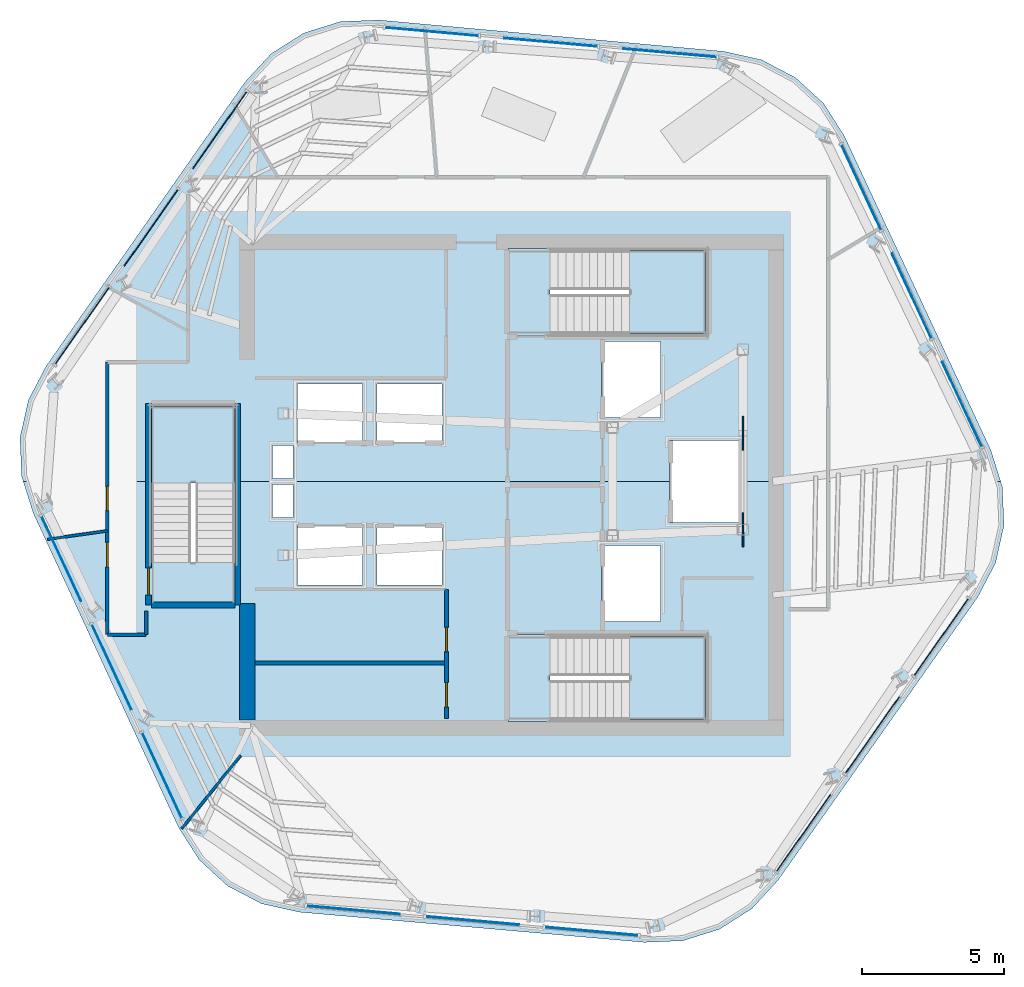
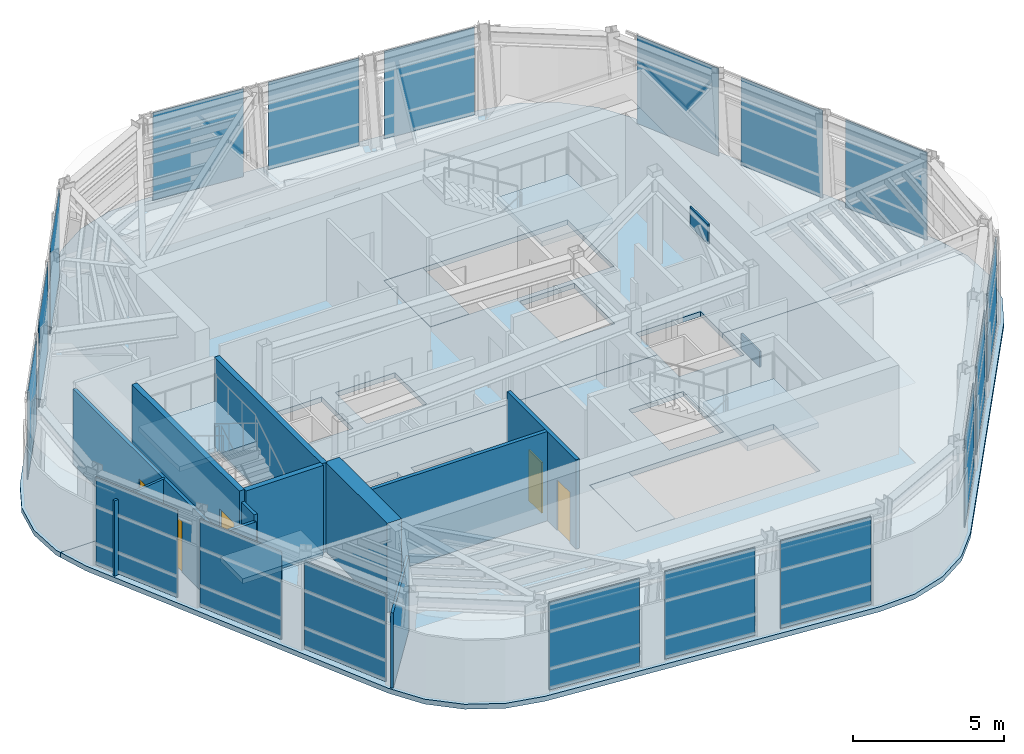
# One storey, part 5 of 12: 20 plates, 11 walls, 8 slabs, 5 doors, 5 openings, 9 elements without a shape of their own.
"""IFC4 building model written with IfcOpenShell, lengths in metres."""

from ifc_helpers import new_model, si_unit, direction, frame, frame_2d, origin, origin_2d, place, context, subcontext, project, spatial, polyline, rectangle, outline, extrude, material, layer, layer_set, type_object, element, fill, aggregate, save


model = new_model("IFC4")

# Units and contexts
model_context = context("Model", 3, precision=1e-05, world=origin(), true_north=direction((0.0, 1.0)))
body_context = subcontext(model_context, "Body", "Model", "MODEL_VIEW")
ifc_project = project(units=[si_unit("LENGTHUNIT", "METRE"), si_unit("AREAUNIT", "SQUARE_METRE"), si_unit("VOLUMEUNIT", "CUBIC_METRE"), si_unit("PLANEANGLEUNIT", "RADIAN"), si_unit("MASSUNIT", "GRAM", prefix="KILO")], contexts=[model_context])

# Site, building, storey
site_placement = place(None, origin())
site = spatial("IfcSite", under=ifc_project, at=site_placement, CompositionType="ELEMENT")
building_placement = place(site_placement, origin())
building = spatial("IfcBuilding", under=site, at=building_placement, Name="Valkerne Bourse Tower", CompositionType="ELEMENT")
storey_placement = place(building_placement, frame((0.0, 0.0, 262.199951171875)))
storey = spatial("IfcBuildingStorey", under=building, at=storey_placement, Name="L66", CompositionType="ELEMENT", Elevation=262.199951171875)

# Curtain wall, plates
ifc_material_1 = material(Name="Aluminium AA 6063-T6", Category="aluminium")
ifc_layer_1 = layer(ifc_material_1, 0.2451171875)
ifc_layer_set_1 = layer_set([ifc_layer_1], Name="Aluminium AA 6063-T6")
curtain_wall_type = type_object("IfcCurtainWallType", Name="CW-05", PredefinedType="NOTDEFINED", material=ifc_layer_set_1)
curtain_wall_1_placement = place(storey_placement, origin())
curtain_wall_1 = element("IfcCurtainWall", 1, at=curtain_wall_1_placement, inside=storey, type_object=curtain_wall_type, Name="L66 Hexagonal Stick Curtain Wall Face 1", PredefinedType="NOTDEFINED")
ifc_material_2 = material(Name="Glass IGU Low-E Double Glazed", Category="glass")
ifc_layer_2 = layer(ifc_material_2, 0.031982421875)
ifc_layer_set_2 = layer_set([ifc_layer_2], Name="Glass IGU Low-E Double Glazed")
plate_type_1 = type_object("IfcPlateType", Name="CW-PNL-IGU-32", PredefinedType="CURTAIN_PANEL", material=ifc_layer_set_2)
plate_1_placement = place(storey_placement, frame((52.376708984375, 42.102783203125, 0.030029296875), z_axis=(0.0, 0.0, 1.0), x_axis=(-0.99603958276, 0.088910908079, 0.0)))
plate_1 = element("IfcPlate", 2, at=plate_1_placement, type_object=plate_type_1, Name="CW-L66-F1 Curtain Panel 00", PredefinedType="CURTAIN_PANEL", context=body_context, shape_type="SweptSolid", body=[
    extrude(rectangle(XDim=3.2919921875, YDim=0.031982421875, at=origin_2d()), origin(), (0.0, 0.0, 1.0), 3.5400390625),
])
plate_2_placement = place(storey_placement, frame((48.181396484375, 42.477294921875, 0.030029296875), z_axis=(0.0, 0.0, 1.0), x_axis=(-0.996041497395, 0.088889456445, 0.0)))
plate_2 = element("IfcPlate", 3, at=plate_2_placement, type_object=plate_type_1, Name="CW-L66-F1 Curtain Panel 01", PredefinedType="CURTAIN_PANEL", context=body_context, shape_type="SweptSolid", body=[
    extrude(rectangle(XDim=3.2919921875, YDim=0.031982421875, at=origin_2d()), origin(), (0.0, 0.0, 1.0), 3.5400390625),
])
plate_3_placement = place(storey_placement, frame((43.986083984375, 42.8515625, 0.030029296875), z_axis=(0.0, 0.0, 1.0), x_axis=(-0.996041497395, 0.088889456445, 0.0)))
plate_3 = element("IfcPlate", 4, at=plate_3_placement, type_object=plate_type_1, Name="CW-L66-F1 Curtain Panel 02", PredefinedType="CURTAIN_PANEL", context=body_context, shape_type="SweptSolid", body=[
    extrude(rectangle(XDim=3.2919921875, YDim=0.031982421875, at=origin_2d()), origin(), (0.0, 0.0, 1.0), 3.5400390625),
])
aggregate(curtain_wall_1, [plate_1, plate_2, plate_3])

curtain_wall_2_placement = place(storey_placement, origin())
curtain_wall_2 = element("IfcCurtainWall", 5, at=curtain_wall_2_placement, inside=storey, type_object=curtain_wall_type, Name="L66 Hexagonal Stick Curtain Wall Face 2", PredefinedType="NOTDEFINED")
plate_4_placement = place(storey_placement, frame((36.5087890625, 39.380859375, 0.030029296875), z_axis=(0.0, 0.0, 1.0), x_axis=(-0.575006942381, -0.818148529433, 0.0)))
plate_4 = element("IfcPlate", 6, at=plate_4_placement, type_object=plate_type_1, Name="CW-L66-F2 Curtain Panel 00", PredefinedType="CURTAIN_PANEL", context=body_context, shape_type="SweptSolid", body=[
    extrude(rectangle(XDim=3.2919921875, YDim=0.031982421875, at=origin_2d()), origin(), (0.0, 0.0, 1.0), 3.5400390625),
])
plate_5_placement = place(storey_placement, frame((34.0869140625, 35.934814453125, 0.030029296875), z_axis=(0.0, 0.0, 1.0), x_axis=(-0.574995773335, -0.818156379091, 0.0)))
plate_5 = element("IfcPlate", 7, at=plate_5_placement, type_object=plate_type_1, Name="CW-L66-F2 Curtain Panel 01", PredefinedType="CURTAIN_PANEL", context=body_context, shape_type="SweptSolid", body=[
    extrude(rectangle(XDim=3.2919921875, YDim=0.031982421875, at=origin_2d()), origin(), (0.0, 0.0, 1.0), 3.5400390625),
])
plate_6_placement = place(storey_placement, frame((31.6650390625, 32.48876953125, 0.030029296875), z_axis=(0.0, 0.0, 1.0), x_axis=(-0.575006942381, -0.818148529433, 0.0)))
plate_6 = element("IfcPlate", 8, at=plate_6_placement, type_object=plate_type_1, Name="CW-L66-F2 Curtain Panel 02", PredefinedType="CURTAIN_PANEL", context=body_context, shape_type="SweptSolid", body=[
    extrude(rectangle(XDim=3.2919921875, YDim=0.031982421875, at=origin_2d()), origin(), (0.0, 0.0, 1.0), 3.5400390625),
])
aggregate(curtain_wall_2, [plate_4, plate_5, plate_6])

curtain_wall_3_placement = place(storey_placement, origin())
curtain_wall_3 = element("IfcCurtainWall", 9, at=curtain_wall_3_placement, inside=storey, type_object=curtain_wall_type, Name="L66 Hexagonal Stick Curtain Wall Face 3", PredefinedType="NOTDEFINED")
plate_7_placement = place(storey_placement, frame((30.932373046875, 24.278076171875, 0.030029296875), z_axis=(0.0, 0.0, 1.0), x_axis=(0.421032481957, -0.907045560673, 0.0)))
plate_7 = element("IfcPlate", 10, at=plate_7_placement, type_object=plate_type_1, Name="CW-L66-F3 Curtain Panel 00", PredefinedType="CURTAIN_PANEL", context=body_context, shape_type="SweptSolid", body=[
    extrude(rectangle(XDim=3.2919921875, YDim=0.031982421875, at=origin_2d()), origin(), (0.0, 0.0, 1.0), 3.5400390625),
])
plate_8_placement = place(storey_placement, frame((32.705810546875, 20.45751953125, 0.030029296875), z_axis=(0.0, 0.0, 1.0), x_axis=(0.421032481957, -0.907045560673, 0.0)))
plate_8 = element("IfcPlate", 11, at=plate_8_placement, type_object=plate_type_1, Name="CW-L66-F3 Curtain Panel 01", PredefinedType="CURTAIN_PANEL", context=body_context, shape_type="SweptSolid", body=[
    extrude(rectangle(XDim=3.2919921875, YDim=0.031982421875, at=origin_2d()), origin(), (0.0, 0.0, 1.0), 3.5400390625),
])
plate_9_placement = place(storey_placement, frame((34.47900390625, 16.63720703125, 0.030029296875), z_axis=(0.0, 0.0, 1.0), x_axis=(0.421041548912, -0.907041351918, 0.0)))
plate_9 = element("IfcPlate", 12, at=plate_9_placement, type_object=plate_type_1, Name="CW-L66-F3 Curtain Panel 02", PredefinedType="CURTAIN_PANEL", context=body_context, shape_type="SweptSolid", body=[
    extrude(rectangle(XDim=3.2919921875, YDim=0.031982421875, at=origin_2d()), origin(), (0.0, 0.0, 1.0), 3.5400390625),
])
aggregate(curtain_wall_3, [plate_7, plate_8, plate_9])

curtain_wall_4_placement = place(storey_placement, origin())
curtain_wall_4 = element("IfcCurtainWall", 13, at=curtain_wall_4_placement, inside=storey, type_object=curtain_wall_type, Name="L66 Hexagonal Stick Curtain Wall Face 4", PredefinedType="NOTDEFINED")
plate_10_placement = place(storey_placement, frame((41.223388671875, 11.897216796875, 0.030029296875), z_axis=(0.0, 0.0, 1.0), x_axis=(0.99603958276, -0.088910908079, 0.0)))
plate_10 = element("IfcPlate", 14, at=plate_10_placement, type_object=plate_type_1, Name="CW-L66-F4 Curtain Panel 00", PredefinedType="CURTAIN_PANEL", context=body_context, shape_type="SweptSolid", body=[
    extrude(rectangle(XDim=3.2919921875, YDim=0.031982421875, at=origin_2d()), origin(), (0.0, 0.0, 1.0), 3.5400390625),
])
plate_11_placement = place(storey_placement, frame((45.418701171875, 11.522705078125, 0.030029296875), z_axis=(0.0, 0.0, 1.0), x_axis=(0.996041497395, -0.088889456445, 0.0)))
plate_11 = element("IfcPlate", 15, at=plate_11_placement, type_object=plate_type_1, Name="CW-L66-F4 Curtain Panel 01", PredefinedType="CURTAIN_PANEL", context=body_context, shape_type="SweptSolid", body=[
    extrude(rectangle(XDim=3.2919921875, YDim=0.031982421875, at=origin_2d()), origin(), (0.0, 0.0, 1.0), 3.5400390625),
])
plate_12_placement = place(storey_placement, frame((49.614013671875, 11.1484375, 0.030029296875), z_axis=(0.0, 0.0, 1.0), x_axis=(0.996041497395, -0.088889456445, 0.0)))
plate_12 = element("IfcPlate", 16, at=plate_12_placement, type_object=plate_type_1, Name="CW-L66-F4 Curtain Panel 02", PredefinedType="CURTAIN_PANEL", context=body_context, shape_type="SweptSolid", body=[
    extrude(rectangle(XDim=3.2919921875, YDim=0.031982421875, at=origin_2d()), origin(), (0.0, 0.0, 1.0), 3.5400390625),
])
aggregate(curtain_wall_4, [plate_10, plate_11, plate_12])

curtain_wall_5_placement = place(storey_placement, origin())
curtain_wall_5 = element("IfcCurtainWall", 17, at=curtain_wall_5_placement, inside=storey, type_object=curtain_wall_type, Name="L66 Hexagonal Stick Curtain Wall Face 5", PredefinedType="NOTDEFINED")
plate_13_placement = place(storey_placement, frame((57.091064453125, 14.619140625, 0.030029296875), z_axis=(0.0, 0.0, 1.0), x_axis=(0.575006942381, 0.818148529433, 0.0)))
plate_13 = element("IfcPlate", 18, at=plate_13_placement, type_object=plate_type_1, Name="CW-L66-F5 Curtain Panel 00", PredefinedType="CURTAIN_PANEL", context=body_context, shape_type="SweptSolid", body=[
    extrude(rectangle(XDim=3.2919921875, YDim=0.031982421875, at=origin_2d()), origin(), (0.0, 0.0, 1.0), 3.5400390625),
])
plate_14_placement = place(storey_placement, frame((59.512939453125, 18.065185546875, 0.030029296875), z_axis=(0.0, 0.0, 1.0), x_axis=(0.574995773335, 0.818156379091, 0.0)))
plate_14 = element("IfcPlate", 19, at=plate_14_placement, type_object=plate_type_1, Name="CW-L66-F5 Curtain Panel 01", PredefinedType="CURTAIN_PANEL", context=body_context, shape_type="SweptSolid", body=[
    extrude(rectangle(XDim=3.2919921875, YDim=0.031982421875, at=origin_2d()), origin(), (0.0, 0.0, 1.0), 3.5400390625),
])
plate_15_placement = place(storey_placement, frame((61.93505859375, 21.51123046875, 0.030029296875), z_axis=(0.0, 0.0, 1.0), x_axis=(0.575006942381, 0.818148529433, 0.0)))
plate_15 = element("IfcPlate", 20, at=plate_15_placement, type_object=plate_type_1, Name="CW-L66-F5 Curtain Panel 02", PredefinedType="CURTAIN_PANEL", context=body_context, shape_type="SweptSolid", body=[
    extrude(rectangle(XDim=3.2919921875, YDim=0.031982421875, at=origin_2d()), origin(), (0.0, 0.0, 1.0), 3.5400390625),
])
aggregate(curtain_wall_5, [plate_13, plate_14, plate_15])

curtain_wall_6_placement = place(storey_placement, origin())
curtain_wall_6 = element("IfcCurtainWall", 21, at=curtain_wall_6_placement, inside=storey, type_object=curtain_wall_type, Name="L66 Hexagonal Stick Curtain Wall Face 6", PredefinedType="NOTDEFINED")
plate_16_placement = place(storey_placement, frame((62.667724609375, 29.721923828125, 0.030029296875), z_axis=(0.0, 0.0, 1.0), x_axis=(-0.421032481957, 0.907045560673, 0.0)))
plate_16 = element("IfcPlate", 22, at=plate_16_placement, type_object=plate_type_1, Name="CW-L66-F6 Curtain Panel 00", PredefinedType="CURTAIN_PANEL", context=body_context, shape_type="SweptSolid", body=[
    extrude(rectangle(XDim=3.2919921875, YDim=0.031982421875, at=origin_2d()), origin(), (0.0, 0.0, 1.0), 3.5400390625),
])
plate_17_placement = place(storey_placement, frame((60.894287109375, 33.54248046875, 0.030029296875), z_axis=(0.0, 0.0, 1.0), x_axis=(-0.421032481957, 0.907045560673, 0.0)))
plate_17 = element("IfcPlate", 23, at=plate_17_placement, type_object=plate_type_1, Name="CW-L66-F6 Curtain Panel 01", PredefinedType="CURTAIN_PANEL", context=body_context, shape_type="SweptSolid", body=[
    extrude(rectangle(XDim=3.2919921875, YDim=0.031982421875, at=origin_2d()), origin(), (0.0, 0.0, 1.0), 3.5400390625),
])
plate_18_placement = place(storey_placement, frame((59.120849609375, 37.36279296875, 0.030029296875), z_axis=(0.0, 0.0, 1.0), x_axis=(-0.421041548912, 0.907041351918, 0.0)))
plate_18 = element("IfcPlate", 24, at=plate_18_placement, type_object=plate_type_1, Name="CW-L66-F6 Curtain Panel 02", PredefinedType="CURTAIN_PANEL", context=body_context, shape_type="SweptSolid", body=[
    extrude(rectangle(XDim=3.2919921875, YDim=0.031982421875, at=origin_2d()), origin(), (0.0, 0.0, 1.0), 3.5400390625),
])
aggregate(curtain_wall_6, [plate_16, plate_17, plate_18])

# Plates
ifc_material_3 = material(Name="Steel ASTM A572 Grade 50", Category="steel")
ifc_layer_3 = layer(ifc_material_3, 0.06005859375)
ifc_layer_set_3 = layer_set([ifc_layer_3], Name="Steel ASTM A572 Grade 50")
plate_type_2 = type_object("IfcPlateType", Name="PLT-GUS-60", PredefinedType="SHEET", material=ifc_layer_set_3)
for number, where, z_axis, x_axis, name in (
    (25, (54.949951171875, 25.300048828125, -0.18017578125), (0.0, 0.0, 1.0), (0.0, 1.0, 0.0), "L66 Brace Node Gusset Plate PLT-GUS-END-L66-448"),
    (26, (54.949951171875, 28.699951171875, 2.89404296875), (0.0, 0.0, 1.0), (0.0, 1.0, 0.0), "L66 Brace Node Gusset Plate PLT-GUS-END-L66-449"),
):
    element("IfcPlate", number, at=place(storey_placement, frame(where, z_axis=z_axis, x_axis=x_axis)), inside=storey, type_object=plate_type_2, Name=name, PredefinedType="SHEET", context=body_context, shape_type="SweptSolid", body=[
        extrude(rectangle(XDim=1.199951171875, YDim=0.06005859375, at=origin_2d()), origin(), (0.0, 0.0, 1.0), 0.800048828125),
    ])

# Slabs
ifc_material_4 = material(Name="Concrete C40/50", Category="concrete")
ifc_layer_4 = layer(ifc_material_4, 0.25)
ifc_layer_set_4 = layer_set([ifc_layer_4], Name="Concrete C40/50")
slab_type_1 = type_object("IfcSlabType", Name="SLB-RMP-LND-250", PredefinedType="LANDING", material=ifc_layer_set_4)
slab_1_placement = place(storey_placement, frame((0.0, 0.0, -0.199951171875)))
element("IfcSlab", 27, at=slab_1_placement, inside=storey, type_object=slab_type_1, Name="L66 ST-1 Floor Landing Slab", PredefinedType="LANDING", context=body_context, shape_type="SweptSolid", body=[
    extrude(outline(polyline([(46.669921875, 18.5400390625), (48.14990234375, 18.5400390625), (48.14990234375, 21.610107421875), (46.669921875, 21.610107421875), (46.669921875, 18.5400390625)])), origin(), (0.0, 0.0, 1.0), 0.199951171875),
])
slab_2_placement = place(storey_placement, frame((0.0, 0.0, -0.199951171875)))
element("IfcSlab", 28, at=slab_2_placement, inside=storey, type_object=slab_type_1, Name="L66 ST-2 Floor Landing Slab", PredefinedType="LANDING", context=body_context, shape_type="SweptSolid", body=[
    extrude(outline(polyline([(46.669921875, 32.139892578125), (48.14990234375, 32.139892578125), (48.14990234375, 35.2099609375), (46.669921875, 35.2099609375), (46.669921875, 32.139892578125)])), origin(), (0.0, 0.0, 1.0), 0.199951171875),
])
slab_3_placement = place(storey_placement, frame((0.0, 0.0, -0.199951171875)))
element("IfcSlab", 29, at=slab_3_placement, inside=storey, type_object=slab_type_1, Name="L66 ST-3 Floor Landing Slab", PredefinedType="LANDING", context=body_context, shape_type="SweptSolid", body=[
    extrude(outline(polyline([(37.110107421875, 22.669921875), (37.110107421875, 24.14990234375), (34.0400390625, 24.14990234375), (34.0400390625, 22.669921875), (37.110107421875, 22.669921875)])), origin(), (0.0, 0.0, 1.0), 0.199951171875),
])

# Stair, slab
stair_type = type_object("IfcStairType", Name="ST-CORE-1400", PredefinedType="HALF_TURN_STAIR", material=ifc_material_4)
stair_1_placement = place(storey_placement, origin())
stair_1 = element("IfcStair", 30, at=stair_1_placement, inside=storey, type_object=stair_type, Name="L66 ST-1", PredefinedType="HALF_TURN_STAIR")
ifc_layer_5 = layer(ifc_material_4, 0.179931640625)
ifc_layer_set_5 = layer_set([ifc_layer_5], Name="Concrete C40/50")
slab_type_2 = type_object("IfcSlabType", Name="SLB-ST-LND-180", PredefinedType="LANDING", material=ifc_layer_set_5)
slab_4_placement = place(storey_placement, frame((0.0, 0.0, 1.699951171875)))
slab_4 = element("IfcSlab", 31, at=slab_4_placement, type_object=slab_type_2, Name="ST-1 landing 1", PredefinedType="LANDING", context=body_context, shape_type="SweptSolid", body=[
    extrude(outline(polyline([(50.949951171875, 18.60009765625), (53.64990234375, 18.60009765625), (53.64990234375, 21.550048828125), (50.949951171875, 21.550048828125), (50.949951171875, 18.60009765625)])), origin(), (0.0, 0.0, 1.0), 0.2001953125),
])
aggregate(stair_1, [slab_4])

stair_2_placement = place(storey_placement, origin())
stair_2 = element("IfcStair", 32, at=stair_2_placement, inside=storey, type_object=stair_type, Name="L66 ST-2", PredefinedType="HALF_TURN_STAIR")
slab_5_placement = place(storey_placement, frame((0.0, 0.0, 1.699951171875)))
slab_5 = element("IfcSlab", 33, at=slab_5_placement, type_object=slab_type_2, Name="ST-2 landing 1", PredefinedType="LANDING", context=body_context, shape_type="SweptSolid", body=[
    extrude(outline(polyline([(50.949951171875, 32.199951171875), (53.64990234375, 32.199951171875), (53.64990234375, 35.14990234375), (50.949951171875, 35.14990234375), (50.949951171875, 32.199951171875)])), origin(), (0.0, 0.0, 1.0), 0.2001953125),
])
aggregate(stair_2, [slab_5])

stair_3_placement = place(storey_placement, origin())
stair_3 = element("IfcStair", 34, at=stair_3_placement, inside=storey, type_object=stair_type, Name="L66 ST-3", PredefinedType="HALF_TURN_STAIR")
slab_6_placement = place(storey_placement, frame((0.0, 0.0, 1.699951171875)))
slab_6 = element("IfcSlab", 35, at=slab_6_placement, type_object=slab_type_2, Name="ST-3 landing 1", PredefinedType="LANDING", context=body_context, shape_type="SweptSolid", body=[
    extrude(outline(polyline([(37.050048828125, 26.949951171875), (37.050048828125, 29.64990234375), (34.10009765625, 29.64990234375), (34.10009765625, 26.949951171875), (37.050048828125, 26.949951171875)])), origin(), (0.0, 0.0, 1.0), 0.2001953125),
])
aggregate(stair_3, [slab_6])

# Slabs
ifc_layer_6 = layer(ifc_material_4, 0.199951171875)
ifc_layer_set_6 = layer_set([ifc_layer_6], Name="Concrete C40/50")
slab_type_3 = type_object("IfcSlabType", Name="SLB-TOW-200", PredefinedType="FLOOR", material=ifc_layer_set_6)
slab_7_placement = place(storey_placement, frame((0.0, 0.0, -0.199951171875)))
element("IfcSlab", 36, at=slab_7_placement, inside=storey, type_object=slab_type_3, Name="L66 Hexagonal Composite Floor Slab S", PredefinedType="FLOOR", context=body_context, shape_type="SweptSolid", body=[
    extrude(outline(polyline([(64.093017578125, 26.807861328125), (64.14990234375, 25.45166015625), (63.853759765625, 24.126708984375), (63.224853515625, 22.923828125), (56.189208984375, 12.947998046875), (55.270263671875, 11.94873046875), (54.124267578125, 11.221435546875), (52.828857421875, 10.8154296875), (51.472412109375, 10.7587890625), (39.311767578125, 11.82373046875), (37.987060546875, 12.119873046875), (36.7841796875, 12.748779296875), (35.784912109375, 13.66748046875), (35.0576171875, 14.813720703125), (29.93603515625, 25.894775390625), (29.58984375, 27.0), (34.034912109375, 27.0), (34.034912109375, 22.6650390625), (37.114990234375, 22.6650390625), (37.114990234375, 27.0), (52.360107421875, 27.0), (52.360107421875, 25.56005859375), (54.840087890625, 25.56005859375), (54.840087890625, 27.0), (64.032958984375, 27.0), (64.093017578125, 26.807861328125)]), holes=[polyline([(39.260009765625, 25.43994140625), (39.260009765625, 23.360107421875), (41.5400390625, 23.360107421875), (41.5400390625, 25.43994140625), (39.260009765625, 25.43994140625)]), polyline([(44.340087890625, 25.43994140625), (42.06005859375, 25.43994140625), (42.06005859375, 23.360107421875), (44.340087890625, 23.360107421875), (44.340087890625, 25.43994140625)]), polyline([(38.3798828125, 26.89990234375), (38.3798828125, 25.72998046875), (39.10009765625, 25.72998046875), (39.10009765625, 26.89990234375), (38.3798828125, 26.89990234375)]), polyline([(46.6650390625, 21.614990234375), (46.6650390625, 18.534912109375), (53.675048828125, 18.534912109375), (53.675048828125, 21.614990234375), (46.6650390625, 21.614990234375)]), polyline([(52.0400390625, 24.739990234375), (49.9599609375, 24.739990234375), (49.9599609375, 22.06005859375), (52.0400390625, 22.06005859375), (52.0400390625, 24.739990234375)])]), origin(), (0.0, 0.0, 1.0), 0.199951171875),
])
slab_8_placement = place(storey_placement, frame((0.0, 0.0, -0.199951171875)))
element("IfcSlab", 37, at=slab_8_placement, inside=storey, type_object=slab_type_3, Name="L66 Hexagonal Composite Floor Slab N", PredefinedType="FLOOR", context=body_context, shape_type="SweptSolid", body=[
    extrude(outline(polyline([(64.032958984375, 27.0), (54.840087890625, 27.0), (54.840087890625, 28.43994140625), (52.360107421875, 28.43994140625), (52.360107421875, 27.0), (37.114990234375, 27.0), (37.114990234375, 29.675048828125), (34.034912109375, 29.675048828125), (34.034912109375, 27.0), (29.58984375, 27.0), (29.5302734375, 27.190185546875), (29.473388671875, 28.54638671875), (29.769287109375, 29.87109375), (30.398193359375, 31.07421875), (37.40087890625, 41.072998046875), (38.31982421875, 42.072265625), (39.466064453125, 42.7998046875), (40.761474609375, 43.20556640625), (42.11767578125, 43.262451171875), (54.27490234375, 42.1572265625), (55.599609375, 41.861083984375), (56.802490234375, 41.232177734375), (57.8017578125, 40.313232421875), (58.529052734375, 39.167236328125), (63.68701171875, 28.103271484375), (64.032958984375, 27.0)]), holes=[polyline([(39.10009765625, 28.27001953125), (38.3798828125, 28.27001953125), (38.3798828125, 27.10009765625), (39.10009765625, 27.10009765625), (39.10009765625, 28.27001953125)]), polyline([(41.5400390625, 30.43994140625), (39.260009765625, 30.43994140625), (39.260009765625, 28.360107421875), (41.5400390625, 28.360107421875), (41.5400390625, 30.43994140625)]), polyline([(42.06005859375, 30.43994140625), (42.06005859375, 28.360107421875), (44.340087890625, 28.360107421875), (44.340087890625, 30.43994140625), (42.06005859375, 30.43994140625)]), polyline([(52.0400390625, 31.93994140625), (49.9599609375, 31.93994140625), (49.9599609375, 29.260009765625), (52.0400390625, 29.260009765625), (52.0400390625, 31.93994140625)]), polyline([(53.675048828125, 35.215087890625), (46.6650390625, 35.215087890625), (46.6650390625, 32.135009765625), (53.675048828125, 32.135009765625), (53.675048828125, 35.215087890625)])]), origin(), (0.0, 0.0, 1.0), 0.199951171875),
])

# Walls
ifc_material_5 = material(Name="Concrete C55/67", Category="concrete")
ifc_layer_7 = layer(ifc_material_5, 0.550048828125)
ifc_layer_set_7 = layer_set([ifc_layer_7], Name="Concrete C55/67")
wall_type_1 = type_object("IfcWallType", Name="W-CORE-550", PredefinedType="SHEAR", material=ifc_layer_set_7)
wall_1_placement = place(storey_placement, frame((37.47509765625, 18.60009765625, 0.0), z_axis=(0.0, 0.0, 1.0), x_axis=(0.0, 1.0, 0.0)))
element("IfcWall", 38, at=wall_1_placement, inside=storey, type_object=wall_type_1, Name="L66 Core Shear Wall WEST-S", PredefinedType="SHEAR", context=body_context, shape_type="SweptSolid", body=[
    extrude(rectangle(XDim=4.099853515625, YDim=0.550048828125, at=frame_2d((2.0498046875, 0.0))), origin(), (0.0, 0.0, 1.0), 3.60009765625),
])
ifc_material_6 = material(Name="Gypsum Board Steel-Stud Partition", Category="steel")
ifc_layer_8 = layer(ifc_material_6, 0.117919921875)
ifc_layer_set_8 = layer_set([ifc_layer_8], Name="Gypsum Board Steel-Stud Partition")
wall_type_2 = type_object("IfcWallType", Name="W-CORR-140", PredefinedType="PARTITIONING", material=ifc_layer_set_8)
wall_2_placement = place(storey_placement, frame((33.91796875, 22.43994140625, 0.0), z_axis=(0.0, 0.0, 1.0), x_axis=(0.002325575107, -0.999997295847, 0.0)))
element("IfcWall", 39, at=wall_2_placement, inside=storey, type_object=wall_type_2, Name="L66 Corridor Enclosure Wall", PredefinedType="PARTITIONING", context=body_context, shape_type="SweptSolid", body=[
    extrude(rectangle(XDim=0.83984375, YDim=0.117919921875, at=frame_2d((0.419921875, 0.0))), origin(), (0.0, 0.0, 1.0), 3.300048828125),
])
wall_3_placement = place(storey_placement, frame((33.919921875, 21.60009765625, 0.0), z_axis=(0.0, 0.0, 1.0), x_axis=(-1.0, 0.0, 0.0)))
element("IfcWall", 40, at=wall_3_placement, inside=storey, type_object=wall_type_2, Name="L66 Corridor Enclosure Wall", PredefinedType="PARTITIONING", context=body_context, shape_type="SweptSolid", body=[
    extrude(rectangle(XDim=1.369873046875, YDim=0.117919921875, at=frame_2d((0.68505859375, 0.0))), origin(), (0.0, 0.0, 1.0), 3.0361328125),
])

# Wall, openings, doors
wall_4_placement = place(storey_placement, frame((32.550048828125, 21.60009765625, 0.0), z_axis=(0.0, 0.0, 1.0), x_axis=(0.0, 1.0, 0.0)))
wall_4 = element("IfcWall", 41, at=wall_4_placement, inside=storey, type_object=wall_type_2, Name="L66 Corridor Enclosure Wall", PredefinedType="PARTITIONING", context=body_context, shape_type="SweptSolid", body=[
    extrude(rectangle(XDim=9.599853515625, YDim=0.117919921875, at=frame_2d((4.7998046875, 0.0))), origin(), (0.0, 0.0, 1.0), 3.0361328125),
])
opening_1_placement = place(wall_4_placement, frame((4.3701171875, 0.0, 0.0)))
opening_1 = element("IfcOpeningElement", 42, at=opening_1_placement, cuts=wall_4, Name="Opening D-WC-900", PredefinedType="OPENING", context=body_context, shape_type="SweptSolid", body=[
    extrude(rectangle(XDim=0.860107421875, YDim=2.050048828125, at=frame_2d((0.43017578125, 1.02490234375))), frame((0.0, 0.06884765625, 0.0), z_axis=(0.0, -1.0, 0.0), x_axis=(1.0, 0.0, 0.0)), (0.0, 0.0, 1.0), 0.137939453125),
])
opening_2_placement = place(wall_4_placement, frame((2.389892578125, 0.0, 0.0)))
opening_2 = element("IfcOpeningElement", 43, at=opening_2_placement, cuts=wall_4, Name="Opening D-WC-900", PredefinedType="OPENING", context=body_context, shape_type="SweptSolid", body=[
    extrude(rectangle(XDim=0.860107421875, YDim=2.050048828125, at=frame_2d((0.43017578125, 1.02490234375))), frame((0.0, 0.06884765625, 0.0), z_axis=(0.0, -1.0, 0.0), x_axis=(1.0, 0.0, 0.0)), (0.0, 0.0, 1.0), 0.137939453125),
])
ifc_material_7 = material(Name="Architectural White Oak Timber", Category="wood")
door_type_1 = type_object("IfcDoorType", Name="DR-WC-900", OperationType="NOTDEFINED", PredefinedType="DOOR", material=ifc_material_7)
door_1_placement = place(opening_1_placement, origin())
door_1 = element("IfcDoor", 44, at=door_1_placement, inside=storey, type_object=door_type_1, Name="L66 L66 Men Bathroom WC 1 Door", OperationType="SINGLE_SWING_RIGHT", OverallHeight=2.050048828125, OverallWidth=0.860107421875, PredefinedType="DOOR", context=body_context, shape_type="SweptSolid", body=[
    extrude(rectangle(XDim=0.860107421875, YDim=2.050048828125, at=frame_2d((0.43017578125, 1.02490234375))), frame((0.0, 0.02490234375, 0.0), z_axis=(0.0, -1.0, 0.0), x_axis=(1.0, 0.0, 0.0)), (0.0, 0.0, 1.0), 0.050048828125),
])
fill(opening_1, door_1)
door_2_placement = place(opening_2_placement, origin())
door_2 = element("IfcDoor", 45, at=door_2_placement, inside=storey, type_object=door_type_1, Name="L66 L66 Women Restroom & Shower WC 2 Door", OperationType="SINGLE_SWING_RIGHT", OverallHeight=2.050048828125, OverallWidth=0.860107421875, PredefinedType="DOOR", context=body_context, shape_type="SweptSolid", body=[
    extrude(rectangle(XDim=0.860107421875, YDim=2.050048828125, at=frame_2d((0.43017578125, 1.02490234375))), frame((0.0, 0.02490234375, 0.0), z_axis=(0.0, -1.0, 0.0), x_axis=(1.0, 0.0, 0.0)), (0.0, 0.0, 1.0), 0.050048828125),
])
fill(opening_2, door_2)

# Walls
ifc_layer_9 = layer(ifc_material_6, 0.092041015625)
ifc_layer_set_9 = layer_set([ifc_layer_9], Name="Gypsum Board Steel-Stud Partition")
wall_type_3 = type_object("IfcWallType", Name="W-PART-115", PredefinedType="PARTITIONING", material=ifc_layer_set_9)
wall_5_placement = place(storey_placement, frame((32.544921875, 25.256591796875, 0.0), z_axis=(0.0, 0.0, 1.0), x_axis=(-0.990337005296, -0.138681707308, 0.0)))
element("IfcWall", 46, at=wall_5_placement, inside=storey, type_object=wall_type_3, Name="L66 Suite Partition P05", PredefinedType="PARTITIONING", context=body_context, shape_type="SweptSolid", body=[
    extrude(rectangle(XDim=2.121337890625, YDim=0.092041015625, at=frame_2d((1.060546875, 0.0))), origin(), (0.0, 0.0, 1.0), 3.0361328125),
])
wall_6_placement = place(storey_placement, frame((37.25048828125, 17.35009765625, 0.0), z_axis=(0.0, 0.0, 1.0), x_axis=(-0.62611165647, -0.7797334119, 0.0)))
element("IfcWall", 47, at=wall_6_placement, inside=storey, type_object=wall_type_3, Name="L66 Suite Partition P06", PredefinedType="PARTITIONING", context=body_context, shape_type="SweptSolid", body=[
    extrude(rectangle(XDim=3.318359375, YDim=0.092041015625, at=frame_2d((1.6591796875, 0.0))), origin(), (0.0, 0.0, 1.0), 3.0361328125),
])

# Wall, opening, door
ifc_layer_10 = layer(ifc_material_4, 0.199951171875)
ifc_layer_set_10 = layer_set([ifc_layer_10], Name="Concrete C40/50")
wall_type_4 = type_object("IfcWallType", Name="W-SHF-200", PredefinedType="SHEAR", material=ifc_layer_set_10)
wall_7_placement = place(storey_placement, frame((34.0, 22.64990234375, 0.0), z_axis=(0.0, 0.0, 1.0), x_axis=(0.0, 1.0, 0.0)))
wall_7 = element("IfcWall", 48, at=wall_7_placement, inside=storey, type_object=wall_type_4, Name="L66 Exit Stair ST-3 Structural Shaft Wall West", PredefinedType="SHEAR", context=body_context, shape_type="SweptSolid", body=[
    extrude(rectangle(XDim=7.10009765625, YDim=0.199951171875, at=frame_2d((3.550048828125, 0.0))), origin(), (0.0, 0.0, 1.0), 3.60009765625),
])
opening_3_placement = place(wall_7_placement, frame((0.35009765625, 0.0, 0.0)))
opening_3 = element("IfcOpeningElement", 49, at=opening_3_placement, cuts=wall_7, Name="Opening D-ST-950", PredefinedType="OPENING", context=body_context, shape_type="SweptSolid", body=[
    extrude(rectangle(XDim=0.949951171875, YDim=2.10009765625, at=frame_2d((0.47509765625, 1.050048828125))), frame((0.0, 0.10986328125, 0.0), z_axis=(0.0, -1.0, 0.0), x_axis=(1.0, 0.0, 0.0)), (0.0, 0.0, 1.0), 0.219970703125),
])
ifc_material_8 = material(Name="Galvanised Painted Steel", Category="steel")
door_type_2 = type_object("IfcDoorType", Name="DR-STAIR-950", OperationType="NOTDEFINED", PredefinedType="DOOR", material=ifc_material_8)
door_3_placement = place(opening_3_placement, origin())
door_3 = element("IfcDoor", 50, at=door_3_placement, inside=storey, type_object=door_type_2, Name="L66 Exit Stair ST-3 Door", OperationType="SINGLE_SWING_LEFT", OverallHeight=2.10009765625, OverallWidth=0.949951171875, PredefinedType="DOOR", context=body_context, shape_type="SweptSolid", body=[
    extrude(rectangle(XDim=0.949951171875, YDim=2.10009765625, at=frame_2d((0.47509765625, 1.050048828125))), frame((0.0, 0.02490234375, 0.0), z_axis=(0.0, -1.0, 0.0), x_axis=(1.0, 0.0, 0.0)), (0.0, 0.0, 1.0), 0.050048828125),
])
fill(opening_3, door_3)

# Walls
wall_8_placement = place(storey_placement, frame((34.10009765625, 22.64990234375, 0.0), z_axis=(0.0, 0.0, 1.0), x_axis=(1.0, 0.0, 0.0)))
element("IfcWall", 51, at=wall_8_placement, inside=storey, type_object=wall_type_4, Name="L66 Exit Stair ST-3 Structural Shaft Wall South", PredefinedType="SHEAR", context=body_context, shape_type="SweptSolid", body=[
    extrude(rectangle(XDim=2.949951171875, YDim=0.199951171875, at=frame_2d((1.47509765625, 0.0))), origin(), (0.0, 0.0, 1.0), 3.60009765625),
])
wall_9_placement = place(storey_placement, frame((37.14990234375, 22.64990234375, 0.0), z_axis=(0.0, 0.0, 1.0), x_axis=(0.0, 1.0, 0.0)))
element("IfcWall", 52, at=wall_9_placement, inside=storey, type_object=wall_type_4, Name="L66 Exit Stair ST-3 Structural Shaft Wall East", PredefinedType="SHEAR", context=body_context, shape_type="SweptSolid", body=[
    extrude(rectangle(XDim=7.10009765625, YDim=0.199951171875, at=frame_2d((3.550048828125, 0.0))), origin(), (0.0, 0.0, 1.0), 3.60009765625),
])

# Wall, openings, doors
ifc_material_9 = material(Name="Moisture-Resistant Gypsum Partition", Category="gypsum")
ifc_layer_11 = layer(ifc_material_9, 0.139892578125)
ifc_layer_set_11 = layer_set([ifc_layer_11], Name="Moisture-Resistant Gypsum Partition")
wall_type_5 = type_object("IfcWallType", Name="W-WET-140", PredefinedType="PARTITIONING", material=ifc_layer_set_11)
wall_10_placement = place(storey_placement, frame((44.5, 18.64990234375, 0.0), z_axis=(0.0, 0.0, 1.0), x_axis=(0.0, 1.0, 0.0)))
wall_10 = element("IfcWall", 53, at=wall_10_placement, inside=storey, type_object=wall_type_5, Name="L66 LV7 Low-Bank East Wall", PredefinedType="PARTITIONING", context=body_context, shape_type="SweptSolid", body=[
    extrude(rectangle(XDim=4.550048828125, YDim=0.139892578125, at=frame_2d((2.27490234375, 0.0))), origin(), (0.0, 0.0, 1.0), 3.60009765625),
])
opening_4_placement = place(wall_10_placement, frame((0.39990234375, 0.0, 0.0)))
opening_4 = element("IfcOpeningElement", 54, at=opening_4_placement, cuts=wall_10, Name="Opening D-WC-900", PredefinedType="OPENING", context=body_context, shape_type="SweptSolid", body=[
    extrude(rectangle(XDim=0.860107421875, YDim=2.050048828125, at=frame_2d((0.43017578125, 1.02490234375))), frame((0.0, 0.079833984375, 0.0), z_axis=(0.0, -1.0, 0.0), x_axis=(1.0, 0.0, 0.0)), (0.0, 0.0, 1.0), 0.159912109375),
])
opening_5_placement = place(wall_10_placement, frame((2.35009765625, 0.0, 0.0)))
opening_5 = element("IfcOpeningElement", 55, at=opening_5_placement, cuts=wall_10, Name="Opening D-WC-900", PredefinedType="OPENING", context=body_context, shape_type="SweptSolid", body=[
    extrude(rectangle(XDim=0.860107421875, YDim=2.050048828125, at=frame_2d((0.43017578125, 1.02490234375))), frame((0.0, 0.079833984375, 0.0), z_axis=(0.0, -1.0, 0.0), x_axis=(1.0, 0.0, 0.0)), (0.0, 0.0, 1.0), 0.159912109375),
])
door_4_placement = place(opening_4_placement, origin())
door_4 = element("IfcDoor", 56, at=door_4_placement, inside=storey, type_object=door_type_1, Name="L66 Beverage Kitchen Door", OperationType="SINGLE_SWING_LEFT", OverallHeight=2.050048828125, OverallWidth=0.860107421875, PredefinedType="DOOR", context=body_context, shape_type="SweptSolid", body=[
    extrude(rectangle(XDim=0.860107421875, YDim=2.050048828125, at=frame_2d((0.43017578125, 1.02490234375))), frame((0.0, 0.02490234375, 0.0), z_axis=(0.0, -1.0, 0.0), x_axis=(1.0, 0.0, 0.0)), (0.0, 0.0, 1.0), 0.050048828125),
])
fill(opening_4, door_4)
door_5_placement = place(opening_5_placement, origin())
door_5 = element("IfcDoor", 57, at=door_5_placement, inside=storey, type_object=door_type_1, Name="L66 Compliance Briefing Office Door", OperationType="SINGLE_SWING_LEFT", OverallHeight=2.050048828125, OverallWidth=0.860107421875, PredefinedType="DOOR", context=body_context, shape_type="SweptSolid", body=[
    extrude(rectangle(XDim=0.860107421875, YDim=2.050048828125, at=frame_2d((0.43017578125, 1.02490234375))), frame((0.0, 0.02490234375, 0.0), z_axis=(0.0, -1.0, 0.0), x_axis=(1.0, 0.0, 0.0)), (0.0, 0.0, 1.0), 0.050048828125),
])
fill(opening_5, door_5)

# Wall
wall_11_placement = place(storey_placement, frame((37.75, 20.610107421875, 0.0), z_axis=(0.0, 0.0, 1.0), x_axis=(1.0, 0.0, 0.0)))
element("IfcWall", 58, at=wall_11_placement, inside=storey, type_object=wall_type_5, Name="L66 LV7 Low-Bank Sub-Divider", PredefinedType="PARTITIONING", context=body_context, shape_type="SweptSolid", body=[
    extrude(rectangle(XDim=6.75, YDim=0.139892578125, at=frame_2d((3.375, 0.0))), origin(), (0.0, 0.0, 1.0), 3.60009765625),
])

save(model, "model.ifc")
